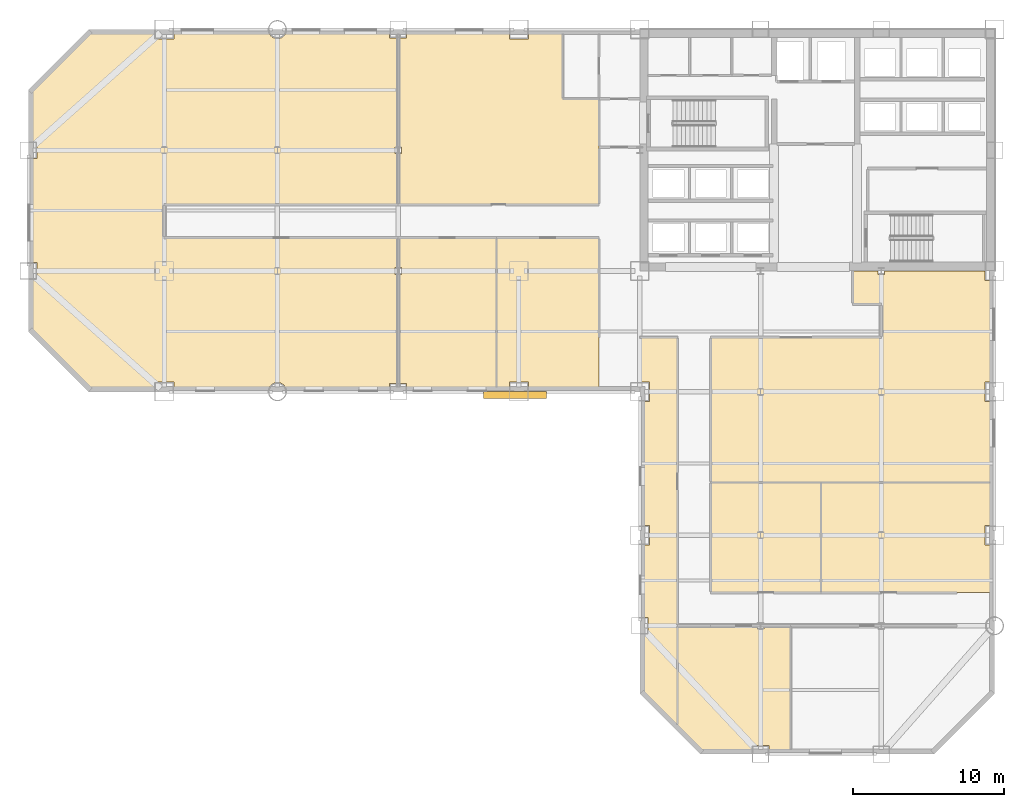
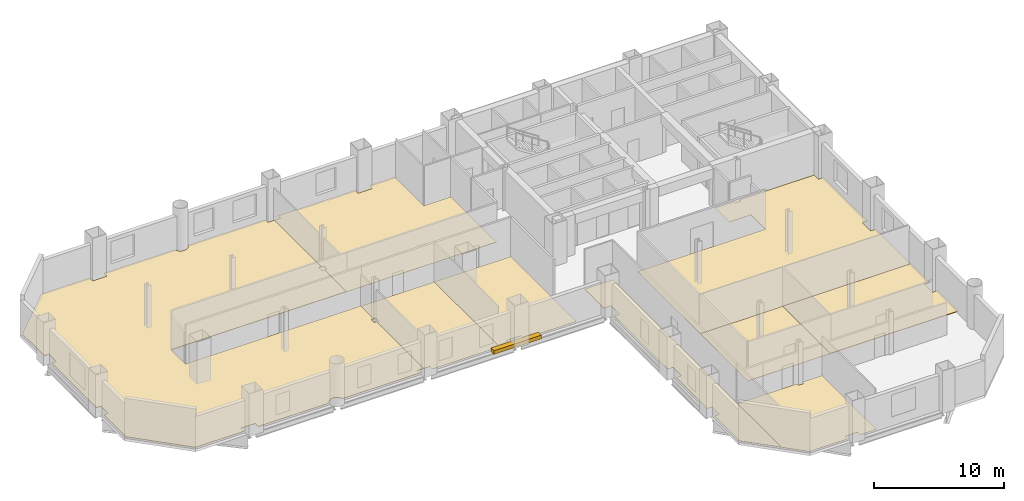
# One storey, part 8 of 9: 9 coverings, 1 shading device.
"""IFC4 building model written with IfcOpenShell, lengths in metres."""

from ifc_helpers import new_model, si_unit, direction, frame, origin, origin_2d, place, context, subcontext, project, spatial, polyline, rectangle, outline, extrude, material, layer, layer_set, type_object, element, save


model = new_model("IFC4")

# Units and contexts
model_context = context("Model", 3, precision=1e-05, world=origin(), true_north=direction((0.0, 1.0)))
body_context = subcontext(model_context, "Body", "Model", "MODEL_VIEW")
ifc_project = project(units=[si_unit("LENGTHUNIT", "METRE"), si_unit("AREAUNIT", "SQUARE_METRE"), si_unit("VOLUMEUNIT", "CUBIC_METRE"), si_unit("PLANEANGLEUNIT", "RADIAN"), si_unit("MASSUNIT", "GRAM", prefix="KILO")], contexts=[model_context])

# Site, building, storey
site_placement = place(None, origin())
site = spatial("IfcSite", under=ifc_project, at=site_placement, CompositionType="ELEMENT")
building_placement = place(site_placement, origin())
building = spatial("IfcBuilding", under=site, at=building_placement, Name="Qianrong Seaharbour Tower", CompositionType="ELEMENT")
storey_placement = place(building_placement, frame((0.0, 0.0, 56.199951171875)))
storey = spatial("IfcBuildingStorey", under=building, at=storey_placement, Name="L13", CompositionType="ELEMENT", Elevation=56.199951171875)

# Coverings
ifc_material_1 = material(Name="Acoustic modular carpet tile flooring")
ifc_layer_1 = layer(ifc_material_1, 0.02001953125)
ifc_layer_set_1 = layer_set([ifc_layer_1], Name="Acoustic modular carpet tile flooring")
covering_type_1 = type_object("IfcCoveringType", Name="COV-FLOOR-CARPET-20", PredefinedType="FLOORING", material=ifc_layer_set_1)
covering_1_placement = place(storey_placement, origin())
element("IfcCovering", 1, at=covering_1_placement, inside=storey, type_object=covering_type_1, Name="L13 Corporate Archive Room Finish Flooring", PredefinedType="FLOORING", context=body_context, shape_type="SweptSolid", body=[
    extrude(outline(polyline([(24.5, 43.77587890625), (24.71337890625, 43.77587890625), (24.71337890625, 44.22412109375), (24.5, 44.22412109375), (24.5, 51.43994140625), (25.06005859375, 51.43994140625), (25.06005859375, 51.8349609375), (31.864990234375, 51.8349609375), (31.864990234375, 51.364990234375), (33.135009765625, 51.364990234375), (33.135009765625, 51.8349609375), (35.39990234375, 51.8349609375), (35.39990234375, 47.39990234375), (37.800048828125, 47.39990234375), (37.800048828125, 40.39990234375), (24.5, 40.39990234375), (24.5, 43.77587890625)])), origin(), (0.0, 0.0, 1.0), 0.02001953125),
])
covering_2_placement = place(storey_placement, origin())
element("IfcCovering", 2, at=covering_2_placement, inside=storey, type_object=covering_type_1, Name="L13 Project Library 1 Finish Flooring", PredefinedType="FLOORING", context=body_context, shape_type="SweptSolid", body=[
    extrude(outline(polyline([(31.0, 28.1650390625), (25.06005859375, 28.1650390625), (25.06005859375, 28.56005859375), (24.5, 28.56005859375), (24.5, 35.77587890625), (24.71337890625, 35.77587890625), (24.71337890625, 36.22412109375), (24.5, 36.22412109375), (24.5, 38.199951171875), (31.0, 38.199951171875), (31.0, 28.1650390625)])), origin(), (0.0, 0.0, 1.0), 0.02001953125),
])
covering_3_placement = place(storey_placement, origin())
element("IfcCovering", 3, at=covering_3_placement, inside=storey, type_object=covering_type_1, Name="L13 Digital Media Hall 2 Finish Flooring", PredefinedType="FLOORING", context=body_context, shape_type="SweptSolid", body=[
    extrude(outline(polyline([(37.800048828125, 28.1650390625), (33.135009765625, 28.1650390625), (33.135009765625, 28.635009765625), (31.864990234375, 28.635009765625), (31.864990234375, 28.1650390625), (31.0, 28.1650390625), (31.0, 38.199951171875), (37.800048828125, 38.199951171875), (37.800048828125, 28.1650390625)])), origin(), (0.0, 0.0, 1.0), 0.02001953125),
])
covering_4_placement = place(storey_placement, origin())
element("IfcCovering", 4, at=covering_4_placement, inside=storey, type_object=covering_type_1, Name="L13 Staff Club Assembly Hall Finish Flooring", PredefinedType="FLOORING", context=body_context, shape_type="SweptSolid", body=[
    extrude(outline(polyline([(56.5, 31.60009765625), (56.5, 33.800048828125), (54.60009765625, 33.800048828125), (54.60009765625, 36.0), (56.28662109375, 36.0), (56.28662109375, 35.77587890625), (56.71337890625, 35.77587890625), (56.71337890625, 36.0), (63.364990234375, 36.0), (63.364990234375, 35.364990234375), (63.8349609375, 35.364990234375), (63.8349609375, 28.635009765625), (63.364990234375, 28.635009765625), (63.364990234375, 27.364990234375), (63.8349609375, 27.364990234375), (63.8349609375, 22.0), (45.199951171875, 22.0), (45.199951171875, 31.60009765625), (56.5, 31.60009765625)])), origin(), (0.0, 0.0, 1.0), 0.02001953125),
])
covering_5_placement = place(storey_placement, origin())
element("IfcCovering", 5, at=covering_5_placement, inside=storey, type_object=covering_type_1, Name="L13 Focus Room 1 Finish Flooring", PredefinedType="FLOORING", context=body_context, shape_type="SweptSolid", body=[
    extrude(outline(polyline([(52.5, 22.0), (52.5, 14.699951171875), (45.199951171875, 14.699951171875), (45.199951171875, 22.0), (52.5, 22.0)])), origin(), (0.0, 0.0, 1.0), 0.02001953125),
])
covering_6_placement = place(storey_placement, origin())
element("IfcCovering", 6, at=covering_6_placement, inside=storey, type_object=covering_type_1, Name="L13 Wet Pantry Finish Flooring", PredefinedType="FLOORING", context=body_context, shape_type="SweptSolid", body=[
    extrude(outline(polyline([(43.0, 5.7333984375), (40.6650390625, 8.068359375), (40.6650390625, 11.93994140625), (41.06005859375, 11.93994140625), (41.06005859375, 13.06005859375), (40.6650390625, 13.06005859375), (40.6650390625, 17.864990234375), (41.135009765625, 17.864990234375), (41.135009765625, 19.135009765625), (40.6650390625, 19.135009765625), (40.6650390625, 27.364990234375), (41.135009765625, 27.364990234375), (41.135009765625, 28.635009765625), (40.5, 28.635009765625), (40.5, 31.60009765625), (43.0, 31.60009765625), (43.0, 5.7333984375)])), origin(), (0.0, 0.0, 1.0), 0.02001953125),
])
covering_7_placement = place(storey_placement, origin())
element("IfcCovering", 7, at=covering_7_placement, inside=storey, type_object=covering_type_1, Name="L13 Harbour Symposium Hall 1 Finish Flooring", PredefinedType="FLOORING", context=body_context, shape_type="SweptSolid", body=[
    extrude(outline(polyline([(50.5, 4.1650390625), (49.06005859375, 4.1650390625), (49.06005859375, 4.56005859375), (47.93994140625, 4.56005859375), (47.93994140625, 4.1650390625), (44.568359375, 4.1650390625), (43.0, 5.7333984375), (43.0, 12.5), (48.28662109375, 12.5), (48.28662109375, 12.27587890625), (48.71337890625, 12.27587890625), (48.71337890625, 12.5), (50.5, 12.5), (50.5, 4.1650390625)])), origin(), (0.0, 0.0, 1.0), 0.02001953125),
])
ifc_material_2 = material(Name="Calcium-sulphate raised access floor tile")
ifc_layer_2 = layer(ifc_material_2, 0.044921875)
ifc_layer_set_2 = layer_set([ifc_layer_2], Name="Calcium-sulphate raised access floor tile")
covering_type_2 = type_object("IfcCoveringType", Name="COV-FLOOR-RAISED-45", PredefinedType="FLOORING", material=ifc_layer_set_2)
covering_8_placement = place(storey_placement, origin())
element("IfcCovering", 8, at=covering_8_placement, inside=storey, type_object=covering_type_2, Name="L13 West Harbour Open-Plan Office Finish Flooring", PredefinedType="FLOORING", context=body_context, shape_type="SweptSolid", body=[
    extrude(outline(polyline([(0.1650390625, 32.068359375), (0.1650390625, 35.43994140625), (0.56005859375, 35.43994140625), (0.56005859375, 36.56005859375), (0.1650390625, 36.56005859375), (0.1650390625, 43.43994140625), (0.56005859375, 43.43994140625), (0.56005859375, 44.56005859375), (0.1650390625, 44.56005859375), (0.1650390625, 47.931640625), (4.068359375, 51.8349609375), (8.364990234375, 51.8349609375), (8.364990234375, 51.364990234375), (9.635009765625, 51.364990234375), (9.635009765625, 51.8349609375), (15.915771484375, 51.8349609375), (15.936279296875, 51.7666015625), (15.992919921875, 51.6611328125), (16.068603515625, 51.568603515625), (16.1611328125, 51.492919921875), (16.2666015625, 51.436279296875), (16.381103515625, 51.401611328125), (16.5, 51.389892578125), (16.618896484375, 51.401611328125), (16.7333984375, 51.436279296875), (16.8388671875, 51.492919921875), (16.931396484375, 51.568603515625), (17.007080078125, 51.6611328125), (17.063720703125, 51.7666015625), (17.084228515625, 51.8349609375), (23.93994140625, 51.8349609375), (23.93994140625, 51.43994140625), (24.5, 51.43994140625), (24.5, 44.22412109375), (24.28662109375, 44.22412109375), (24.28662109375, 43.77587890625), (24.5, 43.77587890625), (24.5, 40.39990234375), (9.0, 40.39990234375), (9.0, 38.199951171875), (24.5, 38.199951171875), (24.5, 36.22412109375), (24.28662109375, 36.22412109375), (24.28662109375, 35.77587890625), (24.5, 35.77587890625), (24.5, 28.56005859375), (23.93994140625, 28.56005859375), (23.93994140625, 28.1650390625), (17.084228515625, 28.1650390625), (17.063720703125, 28.2333984375), (17.007080078125, 28.3388671875), (16.931396484375, 28.431396484375), (16.8388671875, 28.507080078125), (16.7333984375, 28.563720703125), (16.618896484375, 28.598388671875), (16.5, 28.610107421875), (16.381103515625, 28.598388671875), (16.2666015625, 28.563720703125), (16.1611328125, 28.507080078125), (16.068603515625, 28.431396484375), (15.992919921875, 28.3388671875), (15.936279296875, 28.2333984375), (15.915771484375, 28.1650390625), (9.635009765625, 28.1650390625), (9.635009765625, 28.635009765625), (8.364990234375, 28.635009765625), (8.364990234375, 28.1650390625), (4.068359375, 28.1650390625), (0.1650390625, 32.068359375)])), origin(), (0.0, 0.0, 1.0), 0.045166015625),
])
covering_9_placement = place(storey_placement, origin())
element("IfcCovering", 9, at=covering_9_placement, inside=storey, type_object=covering_type_2, Name="L13 Executive Office 2 Finish Flooring", PredefinedType="FLOORING", context=body_context, shape_type="SweptSolid", body=[
    extrude(outline(polyline([(63.8349609375, 22.0), (63.8349609375, 19.135009765625), (63.364990234375, 19.135009765625), (63.364990234375, 17.864990234375), (63.8349609375, 17.864990234375), (63.8349609375, 14.699951171875), (52.5, 14.699951171875), (52.5, 22.0), (63.8349609375, 22.0)])), origin(), (0.0, 0.0, 1.0), 0.045166015625),
])

# Shading device
ifc_material_3 = material(Name="White architectural precast concrete C45/55", Category="concrete")
shading_device_type = type_object("IfcShadingDeviceType", Name="SHD-SUNSHADE-WHITE-320", PredefinedType="AWNING", material=ifc_material_3)
shading_device_placement = place(storey_placement, frame((32.237548828125, 27.780029296875, -0.02001953125), z_axis=(0.0, 0.0, 1.0), x_axis=(1.0, 0.0, 0.0)))
element("IfcShadingDevice", 10, at=shading_device_placement, inside=storey, type_object=shading_device_type, Name="L13 Climbing White Precast Ribbon Canopy Fin", PredefinedType="AWNING", context=body_context, shape_type="SweptSolid", body=[
    extrude(rectangle(XDim=4.199951171875, YDim=0.4599609375, at=origin_2d()), origin(), (0.0, 0.0, 1.0), 0.340087890625),
])

save(model, "model.ifc")
